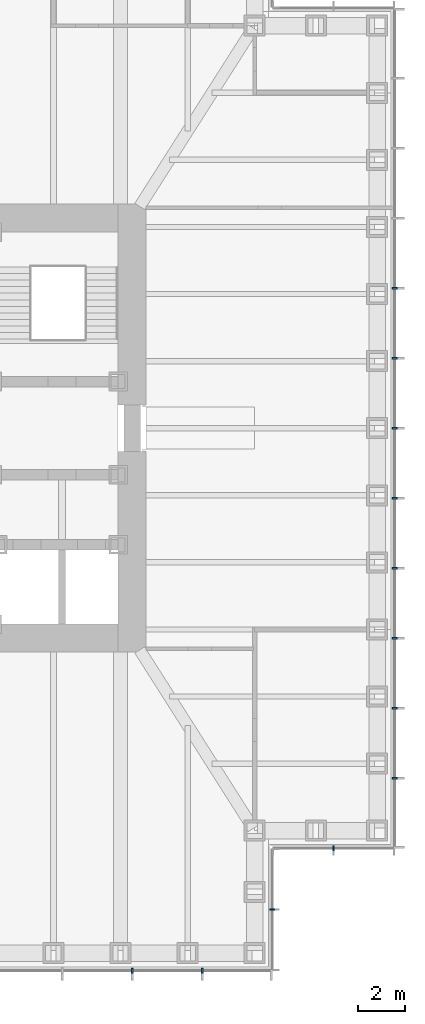
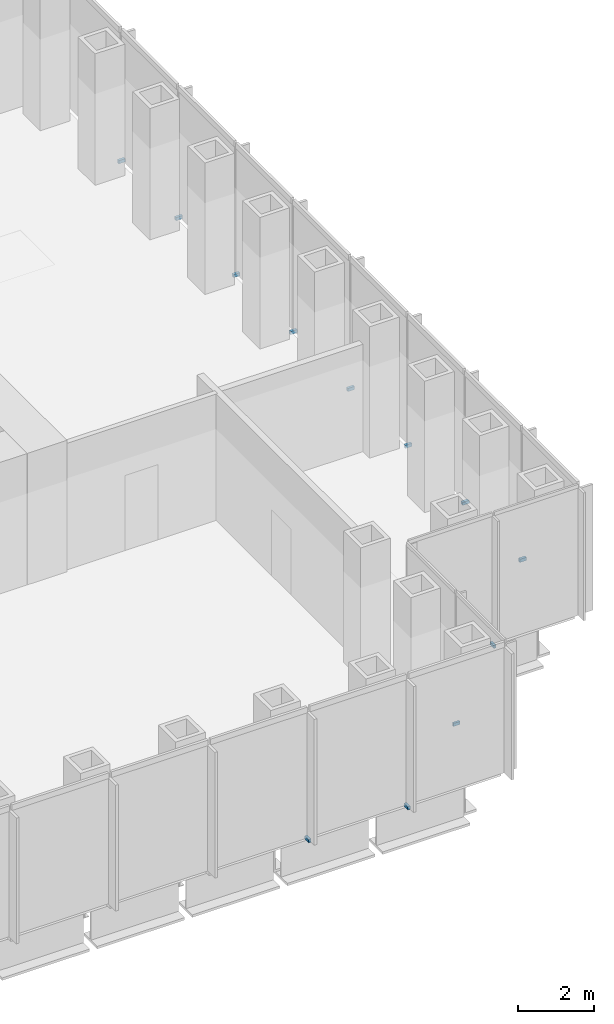
# One storey, part 14 of 17: 12 discrete accessories.
"""IFC4 building model written with IfcOpenShell, lengths in metres."""

from ifc_helpers import new_model, si_unit, direction, frame, origin, origin_2d, place, context, subcontext, project, spatial, rectangle, extrude, element, save


model = new_model("IFC4")

# Units and contexts
model_context = context("Model", 3, precision=1e-05, world=origin(), true_north=direction((0.0, 1.0)))
body_context = subcontext(model_context, "Body", "Model", "MODEL_VIEW")
ifc_project = project(units=[si_unit("LENGTHUNIT", "METRE"), si_unit("AREAUNIT", "SQUARE_METRE"), si_unit("VOLUMEUNIT", "CUBIC_METRE"), si_unit("PLANEANGLEUNIT", "RADIAN"), si_unit("MASSUNIT", "GRAM", prefix="KILO")], contexts=[model_context])

# Site, building, storey
site_placement = place(None, origin())
site = spatial("IfcSite", under=ifc_project, at=site_placement, CompositionType="ELEMENT")
building_placement = place(site_placement, origin())
building = spatial("IfcBuilding", under=site, at=building_placement, Name="Daluyong Arena Tower", CompositionType="ELEMENT")
storey_placement = place(building_placement, frame((0.0, 0.0, 154.300048828125)))
storey = spatial("IfcBuildingStorey", under=building, at=storey_placement, Name="L34", CompositionType="ELEMENT", Elevation=154.300048828125)

# Discrete accessories
for number, where, z_axis, x_axis, name in (
    (1, (68.0, 56.75, -0.10009765625), (0.0, 0.0, 1.0), (1.0, 0.0, 0.0), "curtain wall L34 S anchor bracket 11"),
    (2, (71.0, 56.75, -0.10009765625), (0.0, 0.0, 1.0), (1.0, 0.0, 0.0), "curtain wall L34 S anchor bracket 12"),
):
    element("IfcDiscreteAccessory", number, at=place(storey_placement, frame(where, z_axis=z_axis, x_axis=x_axis)), inside=storey, Name=name, PredefinedType="BRACKET", context=body_context, shape_type="SweptSolid", body=[
        extrude(rectangle(XDim=0.080078125, YDim=0.199951171875, at=origin_2d()), origin(), (0.0, 0.0, 1.0), 0.10009765625),
    ])
for number, where, z_axis, x_axis, name in (
    (3, (74.0, 59.375, -0.10009765625), (0.0, 0.0, 1.0), (0.0, 1.0, 0.0), "curtain wall L34 SE-E anchor bracket 2"),
    (4, (76.625, 62.0, -0.10009765625), (0.0, 0.0, 1.0), (1.0, 0.0, 0.0), "curtain wall L34 SE-S anchor bracket 2"),
):
    element("IfcDiscreteAccessory", number, at=place(storey_placement, frame(where, z_axis=z_axis, x_axis=x_axis)), inside=storey, Name=name, PredefinedType="BRACKET", context=body_context, shape_type="SweptSolid", body=[
        extrude(rectangle(XDim=0.06005859375, YDim=0.199951171875, at=origin_2d()), origin(), (0.0, 0.0, 1.0), 0.10009765625),
    ])
for number, where, z_axis, x_axis, name in (
    (5, (79.25, 65.0, -0.10009765625), (0.0, 0.0, 1.0), (0.0, 1.0, 0.0), "curtain wall L34 E anchor bracket 2"),
    (6, (79.25, 68.0, -0.10009765625), (0.0, 0.0, 1.0), (0.0, 1.0, 0.0), "curtain wall L34 E anchor bracket 3"),
    (7, (79.25, 71.0, -0.10009765625), (0.0, 0.0, 1.0), (0.0, 1.0, 0.0), "curtain wall L34 E anchor bracket 4"),
    (8, (79.25, 74.0, -0.10009765625), (0.0, 0.0, 1.0), (0.0, 1.0, 0.0), "curtain wall L34 E anchor bracket 5"),
    (9, (79.25, 77.0, -0.10009765625), (0.0, 0.0, 1.0), (0.0, 1.0, 0.0), "curtain wall L34 E anchor bracket 6"),
    (10, (79.25, 80.0, -0.10009765625), (0.0, 0.0, 1.0), (0.0, 1.0, 0.0), "curtain wall L34 E anchor bracket 7"),
    (11, (79.25, 83.0, -0.10009765625), (0.0, 0.0, 1.0), (0.0, 1.0, 0.0), "curtain wall L34 E anchor bracket 8"),
    (12, (79.25, 86.0, -0.10009765625), (0.0, 0.0, 1.0), (0.0, 1.0, 0.0), "curtain wall L34 E anchor bracket 9"),
):
    element("IfcDiscreteAccessory", number, at=place(storey_placement, frame(where, z_axis=z_axis, x_axis=x_axis)), inside=storey, Name=name, PredefinedType="BRACKET", context=body_context, shape_type="SweptSolid", body=[
        extrude(rectangle(XDim=0.080078125, YDim=0.199951171875, at=origin_2d()), origin(), (0.0, 0.0, 1.0), 0.10009765625),
    ])

save(model, "model.ifc")
